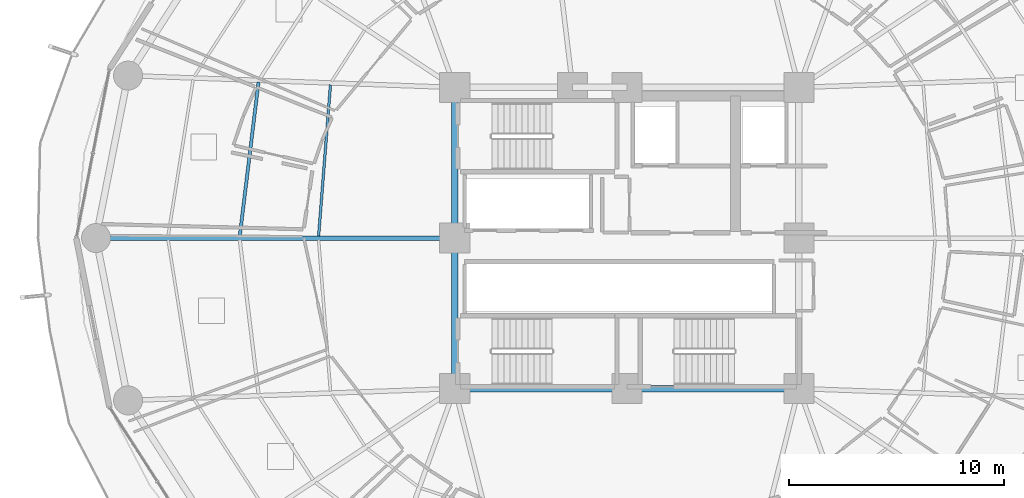
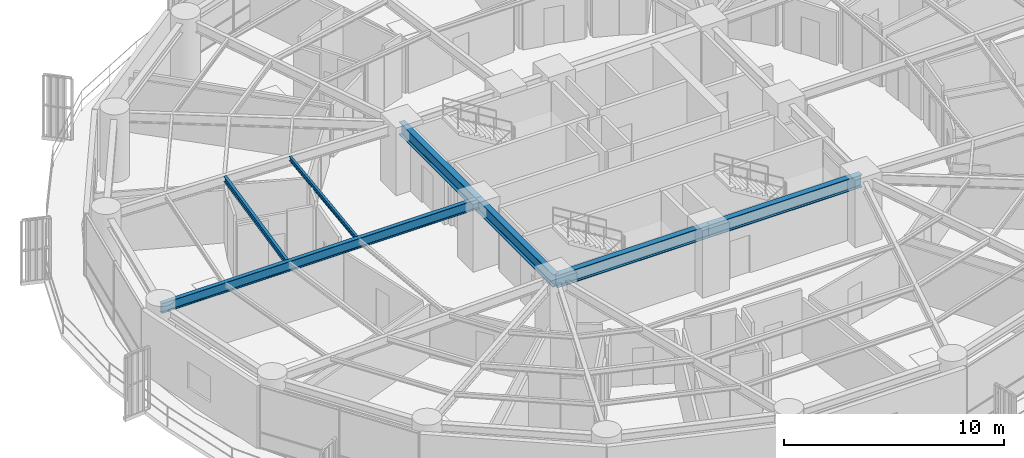
# One storey, part 7 of 33: 7 beams.
"""IFC4 building model written with IfcOpenShell, lengths in metres."""

from ifc_helpers import new_model, si_unit, direction, frame, origin, origin_2d, place, context, subcontext, project, spatial, i_section, extrude, material, material_profile, profile_set, type_object, element, save


model = new_model("IFC4")

# Units and contexts
model_context = context("Model", 3, precision=1e-05, world=origin(), true_north=direction((0.0, 1.0)))
body_context = subcontext(model_context, "Body", "Model", "MODEL_VIEW")
ifc_project = project(units=[si_unit("LENGTHUNIT", "METRE"), si_unit("AREAUNIT", "SQUARE_METRE"), si_unit("VOLUMEUNIT", "CUBIC_METRE"), si_unit("PLANEANGLEUNIT", "RADIAN"), si_unit("MASSUNIT", "GRAM", prefix="KILO")], contexts=[model_context])

# Site, building, storey
site_placement = place(None, origin())
site = spatial("IfcSite", under=ifc_project, at=site_placement, CompositionType="ELEMENT")
building_placement = place(site_placement, origin())
building = spatial("IfcBuilding", under=site, at=building_placement, Name="Kelanora Arch Commons", CompositionType="ELEMENT")
storey_placement = place(building_placement, frame((0.0, 0.0, 83.85009765625)))
storey = spatial("IfcBuildingStorey", under=building, at=storey_placement, Name="L21", CompositionType="ELEMENT", Elevation=83.85009765625)

# Beams
ifc_material = material(Name="Steel S355", Category="steel")
ifc_material_profile_1 = material_profile(ifc_material, i_section(OverallWidth=0.300048828125, OverallDepth=0.699951171875, WebThickness=0.01708984375, FlangeThickness=0.031982421875, FilletRadius=0.027099609375, at=origin_2d()), Name="HEB700")
ifc_profile_set_1 = profile_set([ifc_material_profile_1], Name="Steel S355")
beam_type_1 = type_object("IfcBeamType", Name="BM-CORE-HDR", PredefinedType="BEAM", material=ifc_profile_set_1)
for number, where, z_axis, x_axis, name in (
    (1, (66.0, 51.0, 3.139892578125), (1.0, 0.0, 0.0), (0.0, 1.0, 0.0), "Core Header Beam 01 L21"),
    (2, (74.0, 51.0, 3.139892578125), (1.0, 0.0, 0.0), (0.0, 1.0, 0.0), "Core Header Beam 02 L21"),
):
    element("IfcBeam", number, at=place(storey_placement, frame(where, z_axis=z_axis, x_axis=x_axis)), inside=storey, type_object=beam_type_1, Name=name, PredefinedType="BEAM", context=body_context, shape_type="SweptSolid", body=[
        extrude(i_section(OverallWidth=0.300048828125, OverallDepth=0.699951171875, WebThickness=0.01708984375, FlangeThickness=0.031982421875, FilletRadius=0.027099609375, at=origin_2d()), origin(), (0.0, 0.0, 1.0), 8.0),
    ])
for number, where, z_axis, x_axis, name in (
    (3, (66.0, 65.0, 3.139892578125), (0.0, -1.0, 0.0), (1.0, 0.0, 0.0), "Core Header Beam 08 L21"),
    (4, (66.0, 58.0, 3.139892578125), (0.0, -1.0, 0.0), (1.0, 0.0, 0.0), "Core Header Beam 09 L21"),
):
    element("IfcBeam", number, at=place(storey_placement, frame(where, z_axis=z_axis, x_axis=x_axis)), inside=storey, type_object=beam_type_1, Name=name, PredefinedType="BEAM", context=body_context, shape_type="SweptSolid", body=[
        extrude(i_section(OverallWidth=0.300048828125, OverallDepth=0.699951171875, WebThickness=0.01708984375, FlangeThickness=0.031982421875, FilletRadius=0.027099609375, at=origin_2d()), origin(), (0.0, 0.0, 1.0), 7.0),
    ])
ifc_material_profile_2 = material_profile(ifc_material, i_section(OverallWidth=0.14990234375, OverallDepth=0.300048828125, WebThickness=0.007080078125, FlangeThickness=0.0107421875, FilletRadius=0.014892578125, at=origin_2d()), Name="IPE300")
ifc_profile_set_2 = profile_set([ifc_material_profile_2], Name="Steel S355")
beam_type_2 = type_object("IfcBeamType", Name="BM-JST-01", PredefinedType="JOIST", material=ifc_profile_set_2)
beam_1_placement = place(storey_placement, frame((56.874755859375, 65.24658203125, 3.33984375), z_axis=(-0.120935645266, -0.992660349618, 0.0), x_axis=(0.992660349618, -0.120935645266, 0.0)))
element("IfcBeam", 5, at=beam_1_placement, inside=storey, type_object=beam_type_2, Name="Secondary Chord Joist BJB-16 L21", PredefinedType="JOIST", context=body_context, shape_type="SweptSolid", body=[
    extrude(i_section(OverallWidth=0.14990234375, OverallDepth=0.300048828125, WebThickness=0.007080078125, FlangeThickness=0.0107421875, FilletRadius=0.014892578125, at=origin_2d()), origin(), (0.0, 0.0, 1.0), 7.215087890625),
])
ifc_material_profile_3 = material_profile(ifc_material, i_section(OverallWidth=0.1201171875, OverallDepth=0.239990234375, WebThickness=0.006103515625, FlangeThickness=0.009765625, FilletRadius=0.014892578125, at=origin_2d()), Name="IPE240")
ifc_profile_set_3 = profile_set([ifc_material_profile_3], Name="Steel S355")
beam_type_3 = type_object("IfcBeamType", Name="BM-JST-02", PredefinedType="JOIST", material=ifc_profile_set_3)
beam_2_placement = place(storey_placement, frame((60.220458984375, 65.125, 3.369873046875), z_axis=(-0.078200677502, -0.996937637989, 0.0), x_axis=(0.996937637989, -0.078200677502, 0.0)))
element("IfcBeam", 6, at=beam_2_placement, inside=storey, type_object=beam_type_3, Name="Secondary Chord Joist BJA-16 L21", PredefinedType="JOIST", context=body_context, shape_type="SweptSolid", body=[
    extrude(i_section(OverallWidth=0.1201171875, OverallDepth=0.239990234375, WebThickness=0.006103515625, FlangeThickness=0.009765625, FilletRadius=0.014892578125, at=origin_2d()), origin(), (0.0, 0.0, 1.0), 7.06201171875),
])
ifc_material_profile_4 = material_profile(ifc_material, i_section(OverallWidth=0.2099609375, OverallDepth=0.550048828125, WebThickness=0.010986328125, FlangeThickness=0.01708984375, FilletRadius=0.02392578125, at=origin_2d()), Name="IPE550")
ifc_profile_set_4 = profile_set([ifc_material_profile_4], Name="Steel S355")
beam_type_4 = type_object("IfcBeamType", Name="BM-RAD-Z2", PredefinedType="BEAM", material=ifc_profile_set_4)
beam_3_placement = place(storey_placement, frame((66.0, 58.0, 3.21484375), z_axis=(-1.0, 0.0, 0.0), x_axis=(0.0, -1.0, 0.0)))
element("IfcBeam", 7, at=beam_3_placement, inside=storey, type_object=beam_type_4, Name="Radial Floor Girder BR-18 L21", PredefinedType="BEAM", context=body_context, shape_type="SweptSolid", body=[
    extrude(i_section(OverallWidth=0.2099609375, OverallDepth=0.550048828125, WebThickness=0.010986328125, FlangeThickness=0.01708984375, FilletRadius=0.02392578125, at=origin_2d()), origin(), (0.0, 0.0, 1.0), 16.679931640625),
])

save(model, "model.ifc")
